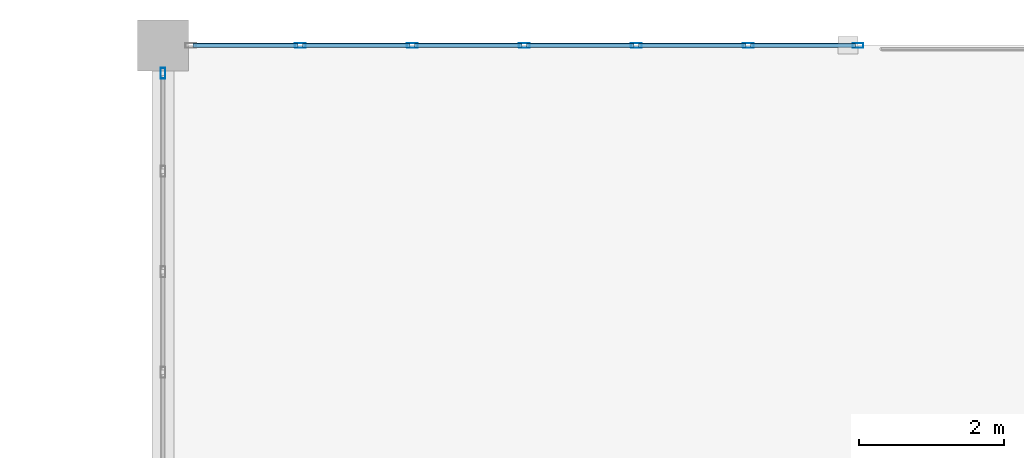
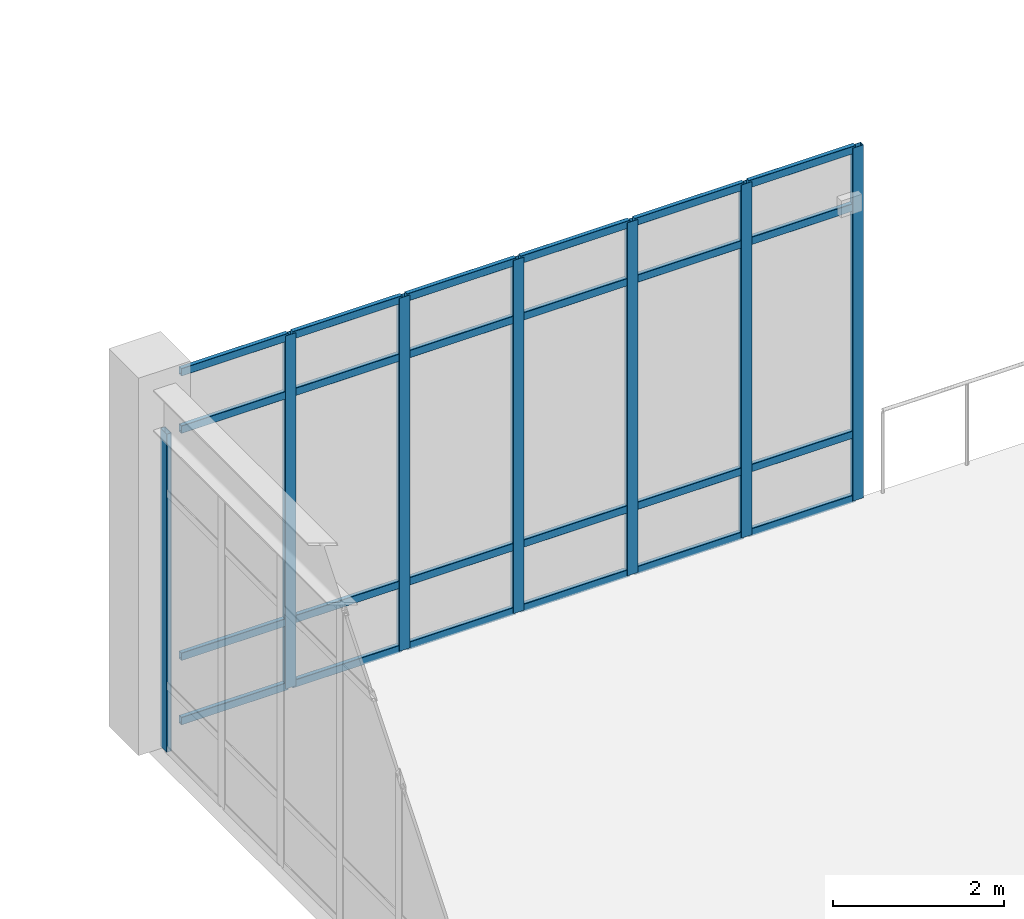
# One storey, part 46 of 80: 31 members, 2 elements without a shape of their own.
"""IFC4 building model written with IfcOpenShell, lengths in metres."""

from ifc_helpers import new_model, si_unit, direction, frame, origin, origin_2d, place, context, subcontext, project, spatial, hollow_rectangle, extrude, material, material_profile, profile_set, type_object, element, aggregate, save


model = new_model("IFC4")

# Units and contexts
model_context = context("Model", 3, precision=1e-05, world=origin(), true_north=direction((0.0, 1.0)))
body_context = subcontext(model_context, "Body", "Model", "MODEL_VIEW")
ifc_project = project(units=[si_unit("LENGTHUNIT", "METRE"), si_unit("AREAUNIT", "SQUARE_METRE"), si_unit("VOLUMEUNIT", "CUBIC_METRE"), si_unit("PLANEANGLEUNIT", "RADIAN"), si_unit("MASSUNIT", "GRAM", prefix="KILO")], contexts=[model_context])

# Site, building, storey
site_placement = place(None, origin())
site = spatial("IfcSite", under=ifc_project, at=site_placement, CompositionType="ELEMENT")
building_placement = place(site_placement, origin())
building = spatial("IfcBuilding", under=site, at=building_placement, Name="Canglan Escarpment Cableway Terminal", CompositionType="ELEMENT")
storey_placement = place(building_placement, frame((0.0, 0.0, 19.199951171875)))
storey = spatial("IfcBuildingStorey", under=building, at=storey_placement, Name="L04", CompositionType="ELEMENT", Elevation=19.199951171875)

# Curtain wall, members
ifc_material_1 = material(Name="Anodized bronze aluminium and Low-E double glazing", Category="aluminium")
curtain_wall_type_1 = type_object("IfcCurtainWallType", Name="CW-BAY-9250x5050", PredefinedType="NOTDEFINED", material=ifc_material_1)
curtain_wall_1_placement = place(storey_placement, origin())
curtain_wall_1 = element("IfcCurtainWall", 1, at=curtain_wall_1_placement, inside=storey, type_object=curtain_wall_type_1, Name="Classical bay-between-piers glazed curtain wall CW-40", PredefinedType="NOTDEFINED")
ifc_material_2 = material(Name="Thermally broken anodized aluminium 6063-T6", Category="aluminium")
ifc_material_profile_1 = material_profile(ifc_material_2, hollow_rectangle(XDim=0.06494140625, YDim=0.14990234375, WallThickness=0.00341796875, InnerFilletRadius=0.00341796875, OuterFilletRadius=0.007080078125, at=origin_2d()), Name="ALU-MULL 65x150x3.5")
ifc_profile_set_1 = profile_set([ifc_material_profile_1], Name="Thermally broken anodized aluminium 6063-T6")
member_type_1 = type_object("IfcMemberType", Name="CWM-02", PredefinedType="MULLION", material=ifc_profile_set_1)
member_1_placement = place(storey_placement, frame((147.16748046875, 124.0, 0.0), z_axis=(0.0, 0.0, 1.0), x_axis=(0.0, -1.0, 0.0)))
member_1 = element("IfcMember", 2, at=member_1_placement, type_object=member_type_1, Name="CW-40 mullion 1", PredefinedType="MULLION", context=body_context, shape_type="SweptSolid", body=[
    extrude(hollow_rectangle(XDim=0.06494140625, YDim=0.14990234375, WallThickness=0.00341796875, InnerFilletRadius=0.00341796875, OuterFilletRadius=0.007080078125, at=origin_2d()), origin(), (0.0, 0.0, 1.0), 5.050048828125),
])
member_2_placement = place(storey_placement, frame((145.658447265625, 124.0, 0.0), z_axis=(0.0, 0.0, 1.0), x_axis=(0.0, -1.0, 0.0)))
member_2 = element("IfcMember", 3, at=member_2_placement, type_object=member_type_1, Name="CW-40 mullion 2", PredefinedType="MULLION", context=body_context, shape_type="SweptSolid", body=[
    extrude(hollow_rectangle(XDim=0.06494140625, YDim=0.14990234375, WallThickness=0.00341796875, InnerFilletRadius=0.00341796875, OuterFilletRadius=0.007080078125, at=origin_2d()), origin(), (0.0, 0.0, 1.0), 5.050048828125),
])
member_3_placement = place(storey_placement, frame((144.11669921875, 124.0, 0.0), z_axis=(0.0, 0.0, 1.0), x_axis=(0.0, -1.0, 0.0)))
member_3 = element("IfcMember", 4, at=member_3_placement, type_object=member_type_1, Name="CW-40 mullion 3", PredefinedType="MULLION", context=body_context, shape_type="SweptSolid", body=[
    extrude(hollow_rectangle(XDim=0.06494140625, YDim=0.14990234375, WallThickness=0.00341796875, InnerFilletRadius=0.00341796875, OuterFilletRadius=0.007080078125, at=origin_2d()), origin(), (0.0, 0.0, 1.0), 5.050048828125),
])
member_4_placement = place(storey_placement, frame((142.574951171875, 124.0, 0.0), z_axis=(0.0, 0.0, 1.0), x_axis=(0.0, -1.0, 0.0)))
member_4 = element("IfcMember", 5, at=member_4_placement, type_object=member_type_1, Name="CW-40 mullion 4", PredefinedType="MULLION", context=body_context, shape_type="SweptSolid", body=[
    extrude(hollow_rectangle(XDim=0.06494140625, YDim=0.14990234375, WallThickness=0.00341796875, InnerFilletRadius=0.00341796875, OuterFilletRadius=0.007080078125, at=origin_2d()), origin(), (0.0, 0.0, 1.0), 5.050048828125),
])
member_5_placement = place(storey_placement, frame((141.033447265625, 124.0, 0.0), z_axis=(0.0, 0.0, 1.0), x_axis=(0.0, -1.0, 0.0)))
member_5 = element("IfcMember", 6, at=member_5_placement, type_object=member_type_1, Name="CW-40 mullion 5", PredefinedType="MULLION", context=body_context, shape_type="SweptSolid", body=[
    extrude(hollow_rectangle(XDim=0.06494140625, YDim=0.14990234375, WallThickness=0.00341796875, InnerFilletRadius=0.00341796875, OuterFilletRadius=0.007080078125, at=origin_2d()), origin(), (0.0, 0.0, 1.0), 5.050048828125),
])
member_6_placement = place(storey_placement, frame((139.49169921875, 124.0, 0.0), z_axis=(0.0, 0.0, 1.0), x_axis=(0.0, -1.0, 0.0)))
member_6 = element("IfcMember", 7, at=member_6_placement, type_object=member_type_1, Name="CW-40 mullion 6", PredefinedType="MULLION", context=body_context, shape_type="SweptSolid", body=[
    extrude(hollow_rectangle(XDim=0.06494140625, YDim=0.14990234375, WallThickness=0.00341796875, InnerFilletRadius=0.00341796875, OuterFilletRadius=0.007080078125, at=origin_2d()), origin(), (0.0, 0.0, 1.0), 5.050048828125),
])

# Curtain wall, member
curtain_wall_type_2 = type_object("IfcCurtainWallType", Name="CW-BAY-8300x4550", PredefinedType="NOTDEFINED", material=ifc_material_1)
curtain_wall_2_placement = place(storey_placement, origin())
curtain_wall_2 = element("IfcCurtainWall", 8, at=curtain_wall_2_placement, inside=storey, type_object=curtain_wall_type_2, Name="Classical bay-between-piers glazed curtain wall CW-64", PredefinedType="NOTDEFINED")
member_7_placement = place(storey_placement, frame((137.60009765625, 123.617431640625, 0.0), z_axis=(0.0, 0.0, 1.0), x_axis=(1.0, 0.0, 0.0)))
member_7 = element("IfcMember", 9, at=member_7_placement, type_object=member_type_1, Name="CW-64 mullion 1", PredefinedType="MULLION", context=body_context, shape_type="SweptSolid", body=[
    extrude(hollow_rectangle(XDim=0.06494140625, YDim=0.14990234375, WallThickness=0.00341796875, InnerFilletRadius=0.00341796875, OuterFilletRadius=0.007080078125, at=origin_2d()), origin(), (0.0, 0.0, 1.0), 4.551025390625),
])
aggregate(curtain_wall_2, [member_7])

# Member
ifc_material_profile_2 = material_profile(ifc_material_2, hollow_rectangle(XDim=0.06005859375, YDim=0.110107421875, WallThickness=0.0029296875, InnerFilletRadius=0.0029296875, OuterFilletRadius=0.006103515625, at=origin_2d()), Name="ALU-TRAN 60x110x3")
ifc_profile_set_2 = profile_set([ifc_material_profile_2], Name="Thermally broken anodized aluminium 6063-T6")
member_type_2 = type_object("IfcMemberType", Name="CWT-02", PredefinedType="USERDEFINED", material=ifc_profile_set_2)
member_8_placement = place(storey_placement, frame((147.135009765625, 124.0, 0.030029296875), z_axis=(-1.0, 0.0, 0.0), x_axis=(0.0, -1.0, 0.0)))
member_8 = element("IfcMember", 10, at=member_8_placement, type_object=member_type_2, Name="CW-40 transom 1.1", ObjectType="TRANSOM", PredefinedType="USERDEFINED", context=body_context, shape_type="SweptSolid", body=[
    extrude(hollow_rectangle(XDim=0.06005859375, YDim=0.110107421875, WallThickness=0.0029296875, InnerFilletRadius=0.0029296875, OuterFilletRadius=0.006103515625, at=origin_2d()), origin(), (0.0, 0.0, 1.0), 1.444091796875),
])

member_9_placement = place(storey_placement, frame((147.135009765625, 124.0, 0.949951171875), z_axis=(-1.0, 0.0, 0.0), x_axis=(0.0, -1.0, 0.0)))
member_9 = element("IfcMember", 11, at=member_9_placement, type_object=member_type_2, Name="CW-40 transom 1.2", ObjectType="TRANSOM", PredefinedType="USERDEFINED", context=body_context, shape_type="SweptSolid", body=[
    extrude(hollow_rectangle(XDim=0.06005859375, YDim=0.110107421875, WallThickness=0.0029296875, InnerFilletRadius=0.0029296875, OuterFilletRadius=0.006103515625, at=origin_2d()), origin(), (0.0, 0.0, 1.0), 1.444091796875),
])

member_10_placement = place(storey_placement, frame((147.135009765625, 124.0, 4.199951171875), z_axis=(-1.0, 0.0, 0.0), x_axis=(0.0, -1.0, 0.0)))
member_10 = element("IfcMember", 12, at=member_10_placement, type_object=member_type_2, Name="CW-40 transom 1.3", ObjectType="TRANSOM", PredefinedType="USERDEFINED", context=body_context, shape_type="SweptSolid", body=[
    extrude(hollow_rectangle(XDim=0.06005859375, YDim=0.110107421875, WallThickness=0.0029296875, InnerFilletRadius=0.0029296875, OuterFilletRadius=0.006103515625, at=origin_2d()), origin(), (0.0, 0.0, 1.0), 1.444091796875),
])

member_11_placement = place(storey_placement, frame((147.135009765625, 124.0, 5.02001953125), z_axis=(-1.0, 0.0, 0.0), x_axis=(0.0, -1.0, 0.0)))
member_11 = element("IfcMember", 13, at=member_11_placement, type_object=member_type_2, Name="CW-40 transom 1.4", ObjectType="TRANSOM", PredefinedType="USERDEFINED", context=body_context, shape_type="SweptSolid", body=[
    extrude(hollow_rectangle(XDim=0.06005859375, YDim=0.110107421875, WallThickness=0.0029296875, InnerFilletRadius=0.0029296875, OuterFilletRadius=0.006103515625, at=origin_2d()), origin(), (0.0, 0.0, 1.0), 1.444091796875),
])

member_12_placement = place(storey_placement, frame((145.625732421875, 124.0, 0.030029296875), z_axis=(-1.0, 0.0, 0.0), x_axis=(0.0, -1.0, 0.0)))
member_12 = element("IfcMember", 14, at=member_12_placement, type_object=member_type_2, Name="CW-40 transom 2.1", ObjectType="TRANSOM", PredefinedType="USERDEFINED", context=body_context, shape_type="SweptSolid", body=[
    extrude(hollow_rectangle(XDim=0.06005859375, YDim=0.110107421875, WallThickness=0.0029296875, InnerFilletRadius=0.0029296875, OuterFilletRadius=0.006103515625, at=origin_2d()), origin(), (0.0, 0.0, 1.0), 1.4765625),
])

member_13_placement = place(storey_placement, frame((145.625732421875, 124.0, 0.949951171875), z_axis=(-1.0, 0.0, 0.0), x_axis=(0.0, -1.0, 0.0)))
member_13 = element("IfcMember", 15, at=member_13_placement, type_object=member_type_2, Name="CW-40 transom 2.2", ObjectType="TRANSOM", PredefinedType="USERDEFINED", context=body_context, shape_type="SweptSolid", body=[
    extrude(hollow_rectangle(XDim=0.06005859375, YDim=0.110107421875, WallThickness=0.0029296875, InnerFilletRadius=0.0029296875, OuterFilletRadius=0.006103515625, at=origin_2d()), origin(), (0.0, 0.0, 1.0), 1.4765625),
])

member_14_placement = place(storey_placement, frame((145.625732421875, 124.0, 4.199951171875), z_axis=(-1.0, 0.0, 0.0), x_axis=(0.0, -1.0, 0.0)))
member_14 = element("IfcMember", 16, at=member_14_placement, type_object=member_type_2, Name="CW-40 transom 2.3", ObjectType="TRANSOM", PredefinedType="USERDEFINED", context=body_context, shape_type="SweptSolid", body=[
    extrude(hollow_rectangle(XDim=0.06005859375, YDim=0.110107421875, WallThickness=0.0029296875, InnerFilletRadius=0.0029296875, OuterFilletRadius=0.006103515625, at=origin_2d()), origin(), (0.0, 0.0, 1.0), 1.4765625),
])

member_15_placement = place(storey_placement, frame((145.625732421875, 124.0, 5.02001953125), z_axis=(-1.0, 0.0, 0.0), x_axis=(0.0, -1.0, 0.0)))
member_15 = element("IfcMember", 17, at=member_15_placement, type_object=member_type_2, Name="CW-40 transom 2.4", ObjectType="TRANSOM", PredefinedType="USERDEFINED", context=body_context, shape_type="SweptSolid", body=[
    extrude(hollow_rectangle(XDim=0.06005859375, YDim=0.110107421875, WallThickness=0.0029296875, InnerFilletRadius=0.0029296875, OuterFilletRadius=0.006103515625, at=origin_2d()), origin(), (0.0, 0.0, 1.0), 1.4765625),
])

member_16_placement = place(storey_placement, frame((144.084228515625, 124.0, 0.030029296875), z_axis=(-1.0, 0.0, 0.0), x_axis=(0.0, -1.0, 0.0)))
member_16 = element("IfcMember", 18, at=member_16_placement, type_object=member_type_2, Name="CW-40 transom 3.1", ObjectType="TRANSOM", PredefinedType="USERDEFINED", context=body_context, shape_type="SweptSolid", body=[
    extrude(hollow_rectangle(XDim=0.06005859375, YDim=0.110107421875, WallThickness=0.0029296875, InnerFilletRadius=0.0029296875, OuterFilletRadius=0.006103515625, at=origin_2d()), origin(), (0.0, 0.0, 1.0), 1.476806640625),
])

member_17_placement = place(storey_placement, frame((144.084228515625, 124.0, 0.949951171875), z_axis=(-1.0, 0.0, 0.0), x_axis=(0.0, -1.0, 0.0)))
member_17 = element("IfcMember", 19, at=member_17_placement, type_object=member_type_2, Name="CW-40 transom 3.2", ObjectType="TRANSOM", PredefinedType="USERDEFINED", context=body_context, shape_type="SweptSolid", body=[
    extrude(hollow_rectangle(XDim=0.06005859375, YDim=0.110107421875, WallThickness=0.0029296875, InnerFilletRadius=0.0029296875, OuterFilletRadius=0.006103515625, at=origin_2d()), origin(), (0.0, 0.0, 1.0), 1.476806640625),
])

member_18_placement = place(storey_placement, frame((144.084228515625, 124.0, 4.199951171875), z_axis=(-1.0, 0.0, 0.0), x_axis=(0.0, -1.0, 0.0)))
member_18 = element("IfcMember", 20, at=member_18_placement, type_object=member_type_2, Name="CW-40 transom 3.3", ObjectType="TRANSOM", PredefinedType="USERDEFINED", context=body_context, shape_type="SweptSolid", body=[
    extrude(hollow_rectangle(XDim=0.06005859375, YDim=0.110107421875, WallThickness=0.0029296875, InnerFilletRadius=0.0029296875, OuterFilletRadius=0.006103515625, at=origin_2d()), origin(), (0.0, 0.0, 1.0), 1.476806640625),
])

member_19_placement = place(storey_placement, frame((144.084228515625, 124.0, 5.02001953125), z_axis=(-1.0, 0.0, 0.0), x_axis=(0.0, -1.0, 0.0)))
member_19 = element("IfcMember", 21, at=member_19_placement, type_object=member_type_2, Name="CW-40 transom 3.4", ObjectType="TRANSOM", PredefinedType="USERDEFINED", context=body_context, shape_type="SweptSolid", body=[
    extrude(hollow_rectangle(XDim=0.06005859375, YDim=0.110107421875, WallThickness=0.0029296875, InnerFilletRadius=0.0029296875, OuterFilletRadius=0.006103515625, at=origin_2d()), origin(), (0.0, 0.0, 1.0), 1.476806640625),
])

member_20_placement = place(storey_placement, frame((142.54248046875, 124.0, 0.030029296875), z_axis=(-1.0, 0.0, 0.0), x_axis=(0.0, -1.0, 0.0)))
member_20 = element("IfcMember", 22, at=member_20_placement, type_object=member_type_2, Name="CW-40 transom 4.1", ObjectType="TRANSOM", PredefinedType="USERDEFINED", context=body_context, shape_type="SweptSolid", body=[
    extrude(hollow_rectangle(XDim=0.06005859375, YDim=0.110107421875, WallThickness=0.0029296875, InnerFilletRadius=0.0029296875, OuterFilletRadius=0.006103515625, at=origin_2d()), origin(), (0.0, 0.0, 1.0), 1.4765625),
])

member_21_placement = place(storey_placement, frame((142.54248046875, 124.0, 0.949951171875), z_axis=(-1.0, 0.0, 0.0), x_axis=(0.0, -1.0, 0.0)))
member_21 = element("IfcMember", 23, at=member_21_placement, type_object=member_type_2, Name="CW-40 transom 4.2", ObjectType="TRANSOM", PredefinedType="USERDEFINED", context=body_context, shape_type="SweptSolid", body=[
    extrude(hollow_rectangle(XDim=0.06005859375, YDim=0.110107421875, WallThickness=0.0029296875, InnerFilletRadius=0.0029296875, OuterFilletRadius=0.006103515625, at=origin_2d()), origin(), (0.0, 0.0, 1.0), 1.4765625),
])

member_22_placement = place(storey_placement, frame((142.54248046875, 124.0, 4.199951171875), z_axis=(-1.0, 0.0, 0.0), x_axis=(0.0, -1.0, 0.0)))
member_22 = element("IfcMember", 24, at=member_22_placement, type_object=member_type_2, Name="CW-40 transom 4.3", ObjectType="TRANSOM", PredefinedType="USERDEFINED", context=body_context, shape_type="SweptSolid", body=[
    extrude(hollow_rectangle(XDim=0.06005859375, YDim=0.110107421875, WallThickness=0.0029296875, InnerFilletRadius=0.0029296875, OuterFilletRadius=0.006103515625, at=origin_2d()), origin(), (0.0, 0.0, 1.0), 1.4765625),
])

member_23_placement = place(storey_placement, frame((142.54248046875, 124.0, 5.02001953125), z_axis=(-1.0, 0.0, 0.0), x_axis=(0.0, -1.0, 0.0)))
member_23 = element("IfcMember", 25, at=member_23_placement, type_object=member_type_2, Name="CW-40 transom 4.4", ObjectType="TRANSOM", PredefinedType="USERDEFINED", context=body_context, shape_type="SweptSolid", body=[
    extrude(hollow_rectangle(XDim=0.06005859375, YDim=0.110107421875, WallThickness=0.0029296875, InnerFilletRadius=0.0029296875, OuterFilletRadius=0.006103515625, at=origin_2d()), origin(), (0.0, 0.0, 1.0), 1.4765625),
])

member_24_placement = place(storey_placement, frame((141.000732421875, 124.0, 0.030029296875), z_axis=(-1.0, 0.0, 0.0), x_axis=(0.0, -1.0, 0.0)))
member_24 = element("IfcMember", 26, at=member_24_placement, type_object=member_type_2, Name="CW-40 transom 5.1", ObjectType="TRANSOM", PredefinedType="USERDEFINED", context=body_context, shape_type="SweptSolid", body=[
    extrude(hollow_rectangle(XDim=0.06005859375, YDim=0.110107421875, WallThickness=0.0029296875, InnerFilletRadius=0.0029296875, OuterFilletRadius=0.006103515625, at=origin_2d()), origin(), (0.0, 0.0, 1.0), 1.4765625),
])

member_25_placement = place(storey_placement, frame((141.000732421875, 124.0, 0.949951171875), z_axis=(-1.0, 0.0, 0.0), x_axis=(0.0, -1.0, 0.0)))
member_25 = element("IfcMember", 27, at=member_25_placement, type_object=member_type_2, Name="CW-40 transom 5.2", ObjectType="TRANSOM", PredefinedType="USERDEFINED", context=body_context, shape_type="SweptSolid", body=[
    extrude(hollow_rectangle(XDim=0.06005859375, YDim=0.110107421875, WallThickness=0.0029296875, InnerFilletRadius=0.0029296875, OuterFilletRadius=0.006103515625, at=origin_2d()), origin(), (0.0, 0.0, 1.0), 1.4765625),
])

member_26_placement = place(storey_placement, frame((141.000732421875, 124.0, 4.199951171875), z_axis=(-1.0, 0.0, 0.0), x_axis=(0.0, -1.0, 0.0)))
member_26 = element("IfcMember", 28, at=member_26_placement, type_object=member_type_2, Name="CW-40 transom 5.3", ObjectType="TRANSOM", PredefinedType="USERDEFINED", context=body_context, shape_type="SweptSolid", body=[
    extrude(hollow_rectangle(XDim=0.06005859375, YDim=0.110107421875, WallThickness=0.0029296875, InnerFilletRadius=0.0029296875, OuterFilletRadius=0.006103515625, at=origin_2d()), origin(), (0.0, 0.0, 1.0), 1.4765625),
])

member_27_placement = place(storey_placement, frame((141.000732421875, 124.0, 5.02001953125), z_axis=(-1.0, 0.0, 0.0), x_axis=(0.0, -1.0, 0.0)))
member_27 = element("IfcMember", 29, at=member_27_placement, type_object=member_type_2, Name="CW-40 transom 5.4", ObjectType="TRANSOM", PredefinedType="USERDEFINED", context=body_context, shape_type="SweptSolid", body=[
    extrude(hollow_rectangle(XDim=0.06005859375, YDim=0.110107421875, WallThickness=0.0029296875, InnerFilletRadius=0.0029296875, OuterFilletRadius=0.006103515625, at=origin_2d()), origin(), (0.0, 0.0, 1.0), 1.4765625),
])

member_28_placement = place(storey_placement, frame((139.459228515625, 124.0, 0.030029296875), z_axis=(-1.0, 0.0, 0.0), x_axis=(0.0, -1.0, 0.0)))
member_28 = element("IfcMember", 30, at=member_28_placement, type_object=member_type_2, Name="CW-40 transom 6.1", ObjectType="TRANSOM", PredefinedType="USERDEFINED", context=body_context, shape_type="SweptSolid", body=[
    extrude(hollow_rectangle(XDim=0.06005859375, YDim=0.110107421875, WallThickness=0.0029296875, InnerFilletRadius=0.0029296875, OuterFilletRadius=0.006103515625, at=origin_2d()), origin(), (0.0, 0.0, 1.0), 1.4443359375),
])

member_29_placement = place(storey_placement, frame((139.459228515625, 124.0, 0.949951171875), z_axis=(-1.0, 0.0, 0.0), x_axis=(0.0, -1.0, 0.0)))
member_29 = element("IfcMember", 31, at=member_29_placement, type_object=member_type_2, Name="CW-40 transom 6.2", ObjectType="TRANSOM", PredefinedType="USERDEFINED", context=body_context, shape_type="SweptSolid", body=[
    extrude(hollow_rectangle(XDim=0.06005859375, YDim=0.110107421875, WallThickness=0.0029296875, InnerFilletRadius=0.0029296875, OuterFilletRadius=0.006103515625, at=origin_2d()), origin(), (0.0, 0.0, 1.0), 1.4443359375),
])

member_30_placement = place(storey_placement, frame((139.459228515625, 124.0, 4.199951171875), z_axis=(-1.0, 0.0, 0.0), x_axis=(0.0, -1.0, 0.0)))
member_30 = element("IfcMember", 32, at=member_30_placement, type_object=member_type_2, Name="CW-40 transom 6.3", ObjectType="TRANSOM", PredefinedType="USERDEFINED", context=body_context, shape_type="SweptSolid", body=[
    extrude(hollow_rectangle(XDim=0.06005859375, YDim=0.110107421875, WallThickness=0.0029296875, InnerFilletRadius=0.0029296875, OuterFilletRadius=0.006103515625, at=origin_2d()), origin(), (0.0, 0.0, 1.0), 1.4443359375),
])

member_31_placement = place(storey_placement, frame((139.459228515625, 124.0, 5.02001953125), z_axis=(-1.0, 0.0, 0.0), x_axis=(0.0, -1.0, 0.0)))
member_31 = element("IfcMember", 33, at=member_31_placement, type_object=member_type_2, Name="CW-40 transom 6.4", ObjectType="TRANSOM", PredefinedType="USERDEFINED", context=body_context, shape_type="SweptSolid", body=[
    extrude(hollow_rectangle(XDim=0.06005859375, YDim=0.110107421875, WallThickness=0.0029296875, InnerFilletRadius=0.0029296875, OuterFilletRadius=0.006103515625, at=origin_2d()), origin(), (0.0, 0.0, 1.0), 1.4443359375),
])

aggregate(curtain_wall_1, [member_1, member_2, member_3, member_4, member_5, member_6, member_8, member_9, member_10, member_11, member_12, member_13, member_14, member_15, member_16, member_17, member_18, member_19, member_20, member_21, member_22, member_23, member_24, member_25, member_26, member_27, member_28, member_29, member_30, member_31])

save(model, "model.ifc")
